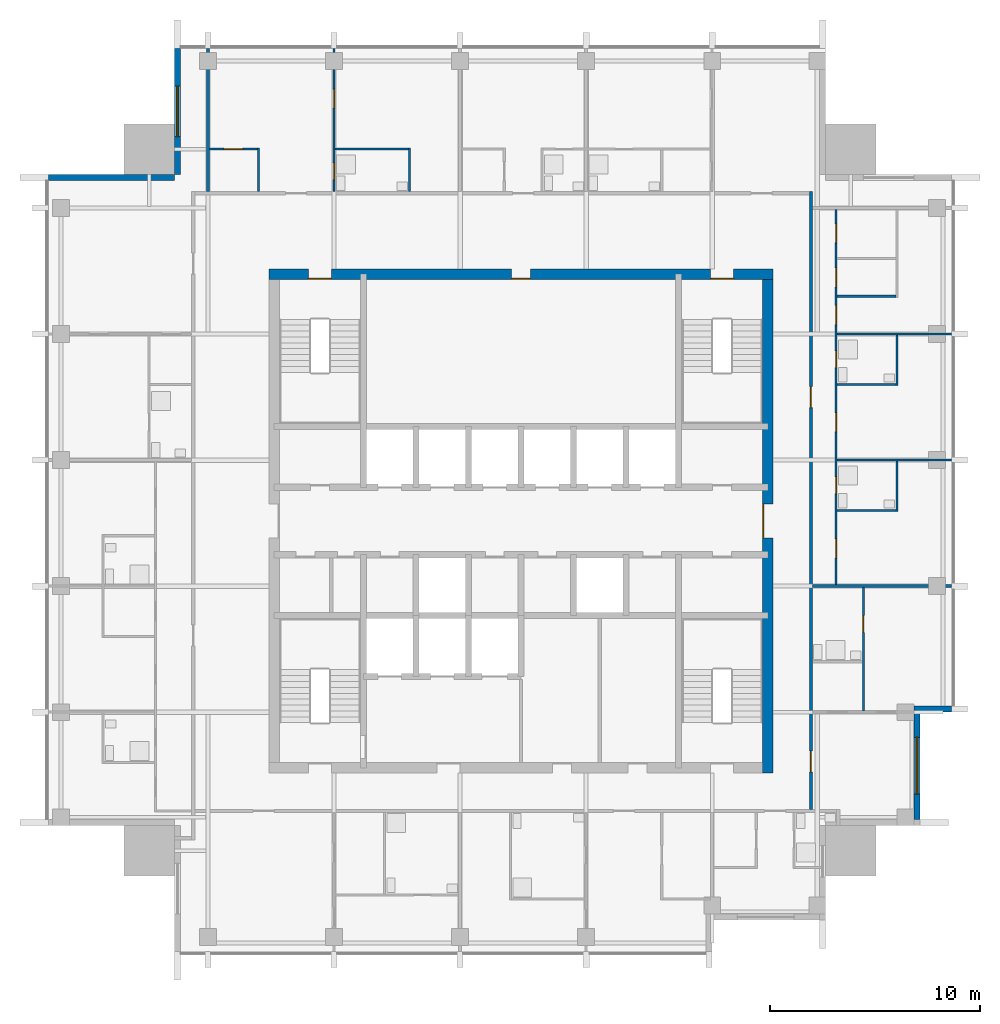
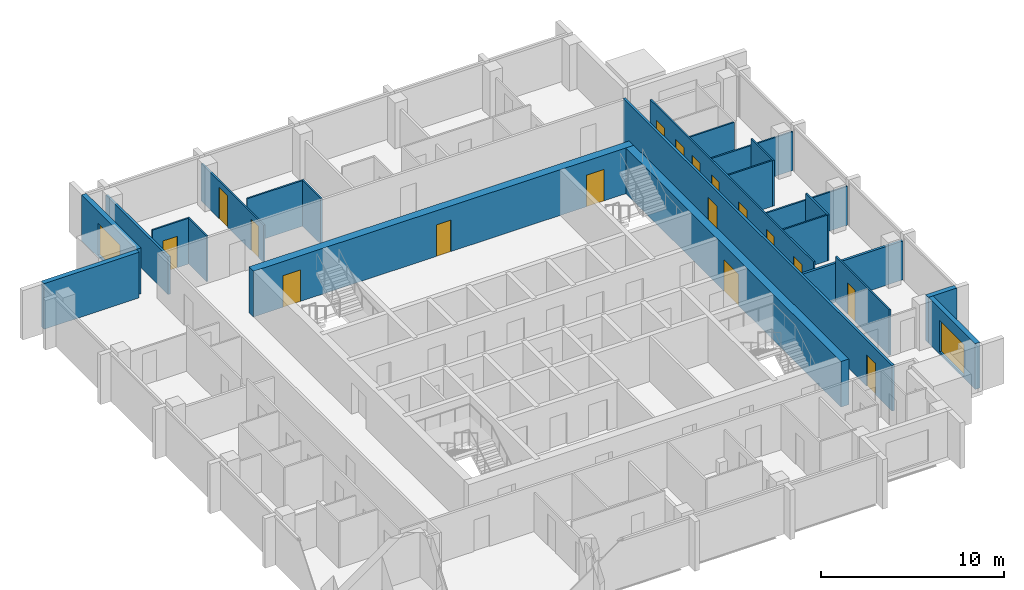
# One storey, part 6 of 9: 23 walls, 17 doors, 2 windows, 19 openings.
"""IFC4 building model written with IfcOpenShell, lengths in metres."""

from ifc_helpers import new_model, si_unit, direction, frame, frame_2d, origin, place, context, subcontext, project, spatial, rectangle, extrude, material, layer, layer_set, type_object, element, fill, save


model = new_model("IFC4")

# Units and contexts
model_context = context("Model", 3, precision=1e-05, world=origin(), true_north=direction((0.0, 1.0)))
body_context = subcontext(model_context, "Body", "Model", "MODEL_VIEW")
ifc_project = project(units=[si_unit("LENGTHUNIT", "METRE"), si_unit("AREAUNIT", "SQUARE_METRE"), si_unit("VOLUMEUNIT", "CUBIC_METRE"), si_unit("PLANEANGLEUNIT", "RADIAN"), si_unit("MASSUNIT", "GRAM", prefix="KILO")], contexts=[model_context])

# Site, building, storey
site_placement = place(None, origin())
site = spatial("IfcSite", under=ifc_project, at=site_placement, CompositionType="ELEMENT")
building_placement = place(site_placement, origin())
building = spatial("IfcBuilding", under=site, at=building_placement, Name="Amberfall Residences", CompositionType="ELEMENT")
storey_placement = place(building_placement, frame((0.0, 0.0, 265.300048828125)))
storey = spatial("IfcBuildingStorey", under=building, at=storey_placement, Name="L71", CompositionType="ELEMENT", Elevation=265.300048828125)

# Wall
ifc_material_1 = material(Name="Pale stone cladding on insulated backing", Category="masonry")
ifc_layer_1 = layer(ifc_material_1, 0.300048828125)
ifc_layer_set_1 = layer_set([ifc_layer_1], Name="Bronze clad wall 300")
wall_type_1 = type_object("IfcWallType", Name="Bronze clad wall 300", PredefinedType="SOLIDWALL", material=ifc_layer_set_1)
wall_1_placement = place(storey_placement, frame((93.199951171875, 36.550048828125, 0.0), z_axis=(0.0, 0.0, 1.0), x_axis=(1.0, 0.0, 0.0)))
element("IfcWall", 1, at=wall_1_placement, inside=storey, type_object=wall_type_1, Name="External wall L71 E", PredefinedType="SOLIDWALL", context=body_context, shape_type="SweptSolid", body=[
    extrude(rectangle(XDim=1.800048828125, YDim=0.300048828125, at=frame_2d((0.89990234375, 0.0))), origin(), (0.0, 0.0, 1.0), 3.050048828125),
])

# Wall, opening, window
wall_2_placement = place(storey_placement, frame((58.14990234375, 68.0, 0.0), z_axis=(0.0, 0.0, 1.0), x_axis=(0.0, -1.0, 0.0)))
wall_2 = element("IfcWall", 2, at=wall_2_placement, inside=storey, type_object=wall_type_1, Name="External wall L71 NW", PredefinedType="SOLIDWALL", context=body_context, shape_type="SweptSolid", body=[
    extrude(rectangle(XDim=6.0, YDim=0.300048828125, at=frame_2d((3.0, 0.0))), origin(), (0.0, 0.0, 1.0), 3.050048828125),
])
opening_1_placement = place(wall_2_placement, frame((1.800048828125, 0.0, 0.14990234375)))
opening_1 = element("IfcOpeningElement", 3, at=opening_1_placement, cuts=wall_2, Name="Opening WN5", PredefinedType="OPENING", context=body_context, shape_type="SweptSolid", body=[
    extrude(rectangle(XDim=2.39990234375, YDim=2.10009765625, at=frame_2d((1.199951171875, 1.050048828125))), frame((0.0, 0.159912109375, 0.0), z_axis=(0.0, -1.0, 0.0), x_axis=(1.0, 0.0, 0.0)), (0.0, 0.0, 1.0), 0.320068359375),
])
ifc_material_2 = material(Name="Bronze aluminium framed glazing", Category="aluminium")
window_type_1 = type_object("IfcWindowType", Name="Glazed opening 2400 x 2100 bronze", PartitioningType="DOUBLE_PANEL_VERTICAL", PredefinedType="WINDOW", material=ifc_material_2)
window_1_placement = place(opening_1_placement, origin())
window_1 = element("IfcWindow", 4, at=window_1_placement, inside=storey, type_object=window_type_1, Name="Window L71 NW", OverallHeight=2.10009765625, OverallWidth=2.39990234375, PartitioningType="DOUBLE_PANEL_VERTICAL", PredefinedType="WINDOW", context=body_context, shape_type="SweptSolid", body=[
    extrude(rectangle(XDim=2.39990234375, YDim=2.10009765625, at=frame_2d((1.199951171875, 1.050048828125))), frame((0.0, 0.030029296875, 0.0), z_axis=(0.0, -1.0, 0.0), x_axis=(1.0, 0.0, 0.0)), (0.0, 0.0, 1.0), 0.06005859375),
])
fill(opening_1, window_1)

# Wall
wall_3_placement = place(storey_placement, frame((58.0, 61.85009765625, 0.0), z_axis=(0.0, 0.0, 1.0), x_axis=(-1.0, 0.0, 0.0)))
element("IfcWall", 5, at=wall_3_placement, inside=storey, type_object=wall_type_1, Name="External wall L71 NW", PredefinedType="SOLIDWALL", context=body_context, shape_type="SweptSolid", body=[
    extrude(rectangle(XDim=6.0, YDim=0.300048828125, at=frame_2d((3.0, 0.0))), origin(), (0.0, 0.0, 1.0), 3.050048828125),
])

# Wall, opening, window
wall_4_placement = place(storey_placement, frame((93.35009765625, 31.300048828125, 0.0), z_axis=(0.0, 0.0, 1.0), x_axis=(0.0, 1.0, 0.0)))
wall_4 = element("IfcWall", 6, at=wall_4_placement, inside=storey, type_object=wall_type_1, Name="Stone wall L71 E", PredefinedType="SOLIDWALL", context=body_context, shape_type="SweptSolid", body=[
    extrude(rectangle(XDim=5.099853515625, YDim=0.300048828125, at=frame_2d((2.5498046875, 0.0))), origin(), (0.0, 0.0, 1.0), 3.050048828125),
])
opening_2_placement = place(wall_4_placement, frame((1.199951171875, 0.0, 0.14990234375)))
opening_2 = element("IfcOpeningElement", 7, at=opening_2_placement, cuts=wall_4, Name="Opening WN4", PredefinedType="OPENING", context=body_context, shape_type="SweptSolid", body=[
    extrude(rectangle(XDim=2.699951171875, YDim=2.10009765625, at=frame_2d((1.35009765625, 1.050048828125))), frame((0.0, 0.159912109375, 0.0), z_axis=(0.0, -1.0, 0.0), x_axis=(1.0, 0.0, 0.0)), (0.0, 0.0, 1.0), 0.320068359375),
])
window_type_2 = type_object("IfcWindowType", Name="Glazed opening 2700 x 2100 bronze", PartitioningType="DOUBLE_PANEL_VERTICAL", PredefinedType="WINDOW", material=ifc_material_2)
window_2_placement = place(opening_2_placement, origin())
window_2 = element("IfcWindow", 8, at=window_2_placement, inside=storey, type_object=window_type_2, Name="Window L71 E", OverallHeight=2.10009765625, OverallWidth=2.699951171875, PartitioningType="DOUBLE_PANEL_VERTICAL", PredefinedType="WINDOW", context=body_context, shape_type="SweptSolid", body=[
    extrude(rectangle(XDim=2.699951171875, YDim=2.10009765625, at=frame_2d((1.35009765625, 1.050048828125))), frame((0.0, 0.030029296875, 0.0), z_axis=(0.0, -1.0, 0.0), x_axis=(1.0, 0.0, 0.0)), (0.0, 0.0, 1.0), 0.06005859375),
])
fill(opening_2, window_2)

# Wall, openings, doors
ifc_material_3 = material(Name="Concrete C50", Category="concrete")
ifc_layer_2 = layer(ifc_material_3, 0.5)
ifc_layer_set_2 = layer_set([ifc_layer_2], Name="Core wall 500 C50")
wall_type_2 = type_object("IfcWallType", Name="Core wall 500 C50", PredefinedType="SHEAR", material=ifc_layer_set_2)
wall_5_placement = place(storey_placement, frame((62.5, 57.25, 0.0), z_axis=(0.0, 0.0, 1.0), x_axis=(1.0, 0.0, 0.0)))
wall_5 = element("IfcWall", 9, at=wall_5_placement, inside=storey, type_object=wall_type_2, Name="Core wall RW9 L71 ON", PredefinedType="SHEAR", context=body_context, shape_type="SweptSolid", body=[
    extrude(rectangle(XDim=24.0, YDim=0.5, at=frame_2d((12.0, 0.0))), origin(), (0.0, 0.0, 1.0), 3.050048828125),
])
opening_3_placement = place(wall_5_placement, frame((21.02490234375, 0.0, 0.0)))
opening_3 = element("IfcOpeningElement", 10, at=opening_3_placement, cuts=wall_5, Name="Opening SD1", PredefinedType="OPENING", context=body_context, shape_type="SweptSolid", body=[
    extrude(rectangle(XDim=1.10009765625, YDim=2.10009765625, at=frame_2d((0.550048828125, 1.050048828125))), frame((0.0, 0.260009765625, 0.0), z_axis=(0.0, -1.0, 0.0), x_axis=(1.0, 0.0, 0.0)), (0.0, 0.0, 1.0), 0.52001953125),
])
opening_4_placement = place(wall_5_placement, frame((1.875, 0.0, 0.0)))
opening_4 = element("IfcOpeningElement", 11, at=opening_4_placement, cuts=wall_5, Name="Opening SD1", PredefinedType="OPENING", context=body_context, shape_type="SweptSolid", body=[
    extrude(rectangle(XDim=1.10009765625, YDim=2.10009765625, at=frame_2d((0.550048828125, 1.050048828125))), frame((0.0, 0.260009765625, 0.0), z_axis=(0.0, -1.0, 0.0), x_axis=(1.0, 0.0, 0.0)), (0.0, 0.0, 1.0), 0.52001953125),
])
opening_5_placement = place(wall_5_placement, frame((11.550048828125, 0.0, 0.0)))
opening_5 = element("IfcOpeningElement", 12, at=opening_5_placement, cuts=wall_5, Name="Opening RD1", PredefinedType="OPENING", context=body_context, shape_type="SweptSolid", body=[
    extrude(rectangle(XDim=0.89990234375, YDim=2.10009765625, at=frame_2d((0.449951171875, 1.050048828125))), frame((0.0, 0.260009765625, 0.0), z_axis=(0.0, -1.0, 0.0), x_axis=(1.0, 0.0, 0.0)), (0.0, 0.0, 1.0), 0.52001953125),
])
ifc_material_4 = material(Name="Steel fire door set", Category="steel")
door_type_1 = type_object("IfcDoorType", Name="Service room door 900 x 2100", OperationType="SINGLE_SWING_LEFT", PredefinedType="DOOR", material=ifc_material_4)
door_1_placement = place(opening_5_placement, origin())
door_1 = element("IfcDoor", 13, at=door_1_placement, inside=storey, type_object=door_type_1, Name="RD1 L71", OperationType="SINGLE_SWING_RIGHT", OverallHeight=2.10009765625, OverallWidth=0.89990234375, PredefinedType="DOOR", context=body_context, shape_type="SweptSolid", body=[
    extrude(rectangle(XDim=0.89990234375, YDim=2.10009765625, at=frame_2d((0.449951171875, 1.050048828125))), frame((0.0, -0.1875, 0.0), z_axis=(0.0, -1.0, 0.0), x_axis=(1.0, 0.0, 0.0)), (0.0, 0.0, 1.0), 0.050048828125),
])
fill(opening_5, door_1)
door_type_2 = type_object("IfcDoorType", Name="Stair door 1100 x 2100", OperationType="SINGLE_SWING_LEFT", PredefinedType="DOOR", material=ifc_material_4)
door_2_placement = place(opening_3_placement, origin())
door_2 = element("IfcDoor", 14, at=door_2_placement, inside=storey, type_object=door_type_2, Name="SD1 L71", OperationType="SINGLE_SWING_RIGHT", OverallHeight=2.10009765625, OverallWidth=1.10009765625, PredefinedType="DOOR", context=body_context, shape_type="SweptSolid", body=[
    extrude(rectangle(XDim=1.10009765625, YDim=2.10009765625, at=frame_2d((0.550048828125, 1.050048828125))), frame((0.0, -0.1875, 0.0), z_axis=(0.0, -1.0, 0.0), x_axis=(1.0, 0.0, 0.0)), (0.0, 0.0, 1.0), 0.050048828125),
])
fill(opening_3, door_2)
door_3_placement = place(opening_4_placement, origin())
door_3 = element("IfcDoor", 15, at=door_3_placement, inside=storey, type_object=door_type_2, Name="SD1 L71", OperationType="SINGLE_SWING_LEFT", OverallHeight=2.10009765625, OverallWidth=1.10009765625, PredefinedType="DOOR", context=body_context, shape_type="SweptSolid", body=[
    extrude(rectangle(XDim=1.10009765625, YDim=2.10009765625, at=frame_2d((0.550048828125, 1.050048828125))), frame((0.0, -0.1875, 0.0), z_axis=(0.0, -1.0, 0.0), x_axis=(1.0, 0.0, 0.0)), (0.0, 0.0, 1.0), 0.050048828125),
])
fill(opening_4, door_3)

# Wall, opening, door
wall_6_placement = place(storey_placement, frame((86.25, 33.5, 0.0), z_axis=(0.0, 0.0, 1.0), x_axis=(0.0, 1.0, 0.0)))
wall_6 = element("IfcWall", 16, at=wall_6_placement, inside=storey, type_object=wall_type_2, Name="Core wall RW9 L71 OE", PredefinedType="SHEAR", context=body_context, shape_type="SweptSolid", body=[
    extrude(rectangle(XDim=24.0, YDim=0.5, at=frame_2d((12.0, 0.0))), origin(), (0.0, 0.0, 1.0), 3.050048828125),
])
opening_6_placement = place(wall_6_placement, frame((11.199951171875, 0.0, 0.0)))
opening_6 = element("IfcOpeningElement", 17, at=opening_6_placement, cuts=wall_6, Name="Opening LB1", PredefinedType="OPENING", context=body_context, shape_type="SweptSolid", body=[
    extrude(rectangle(XDim=1.60009765625, YDim=2.10009765625, at=frame_2d((0.800048828125, 1.050048828125))), frame((0.0, 0.260009765625, 0.0), z_axis=(0.0, -1.0, 0.0), x_axis=(1.0, 0.0, 0.0)), (0.0, 0.0, 1.0), 0.52001953125),
])
door_type_3 = type_object("IfcDoorType", Name="Lift lobby double door 1600 x 2100", OperationType="DOUBLE_DOOR_SINGLE_SWING", PredefinedType="DOOR", material=ifc_material_4)
door_4_placement = place(opening_6_placement, origin())
door_4 = element("IfcDoor", 18, at=door_4_placement, inside=storey, type_object=door_type_3, Name="LB1 L71", OperationType="DOUBLE_DOOR_SINGLE_SWING", OverallHeight=2.10009765625, OverallWidth=1.60009765625, PredefinedType="DOOR", context=body_context, shape_type="SweptSolid", body=[
    extrude(rectangle(XDim=1.60009765625, YDim=2.10009765625, at=frame_2d((0.800048828125, 1.050048828125))), frame((0.0, 0.2373046875, 0.0), z_axis=(0.0, -1.0, 0.0), x_axis=(1.0, 0.0, 0.0)), (0.0, 0.0, 1.0), 0.050048828125),
])
fill(opening_6, door_4)

# Wall
ifc_material_5 = material(Name="Gypsum board on metal stud")
ifc_layer_3 = layer(ifc_material_5, 0.10009765625)
ifc_layer_set_3 = layer_set([ifc_layer_3], Name="Flat partition 100")
wall_type_3 = type_object("IfcWallType", Name="Flat partition 100", PredefinedType="PARTITIONING", material=ifc_layer_set_3)
wall_7_placement = place(storey_placement, frame((62.0, 61.175048828125, 0.0), z_axis=(0.0, 0.0, 1.0), x_axis=(0.0, 1.0, 0.0)))
element("IfcWall", 19, at=wall_7_placement, inside=storey, type_object=wall_type_3, Name="Partition 005", PredefinedType="PARTITIONING", context=body_context, shape_type="SweptSolid", body=[
    extrude(rectangle(XDim=2.074951171875, YDim=0.10009765625, at=frame_2d((1.03759765625, 0.0))), origin(), (0.0, 0.0, 1.0), 3.050048828125),
])

# Wall, openings, doors
wall_8_placement = place(storey_placement, frame((65.60009765625, 68.0, 0.0), z_axis=(0.0, 0.0, 1.0), x_axis=(0.0, -1.0, 0.0)))
wall_8 = element("IfcWall", 20, at=wall_8_placement, inside=storey, type_object=wall_type_3, Name="Partition 007", PredefinedType="PARTITIONING", context=body_context, shape_type="SweptSolid", body=[
    extrude(rectangle(XDim=6.824951171875, YDim=0.10009765625, at=frame_2d((3.41259765625, 0.0))), origin(), (0.0, 0.0, 1.0), 2.515869140625),
])
opening_7_placement = place(wall_8_placement, frame((1.949951171875, 0.0, 0.0)))
opening_7 = element("IfcOpeningElement", 21, at=opening_7_placement, cuts=wall_8, Name="Opening D41", PredefinedType="OPENING", context=body_context, shape_type="SweptSolid", body=[
    extrude(rectangle(XDim=0.89990234375, YDim=2.10009765625, at=frame_2d((0.449951171875, 1.050048828125))), frame((0.0, 0.06005859375, 0.0), z_axis=(0.0, -1.0, 0.0), x_axis=(1.0, 0.0, 0.0)), (0.0, 0.0, 1.0), 0.1201171875),
])
opening_8_placement = place(wall_8_placement, frame((5.449951171875, 0.0, 0.0)))
opening_8 = element("IfcOpeningElement", 22, at=opening_8_placement, cuts=wall_8, Name="Opening D42", PredefinedType="OPENING", context=body_context, shape_type="SweptSolid", body=[
    extrude(rectangle(XDim=0.800048828125, YDim=2.10009765625, at=frame_2d((0.39990234375, 1.050048828125))), frame((0.0, 0.06005859375, 0.0), z_axis=(0.0, -1.0, 0.0), x_axis=(1.0, 0.0, 0.0)), (0.0, 0.0, 1.0), 0.1201171875),
])
ifc_material_6 = material(Name="Timber", Category="wood")
door_type_4 = type_object("IfcDoorType", Name="Bathroom door 800 x 2100", OperationType="SINGLE_SWING_LEFT", PredefinedType="DOOR", material=ifc_material_6)
door_5_placement = place(opening_8_placement, origin())
door_5 = element("IfcDoor", 23, at=door_5_placement, inside=storey, type_object=door_type_4, Name="Door 7106 bath1", OperationType="SINGLE_SWING_LEFT", OverallHeight=2.10009765625, OverallWidth=0.800048828125, PredefinedType="DOOR", context=body_context, shape_type="SweptSolid", body=[
    extrude(rectangle(XDim=0.800048828125, YDim=2.10009765625, at=frame_2d((0.39990234375, 1.050048828125))), frame((0.0, 0.02490234375, 0.0), z_axis=(0.0, -1.0, 0.0), x_axis=(1.0, 0.0, 0.0)), (0.0, 0.0, 1.0), 0.050048828125),
])
fill(opening_8, door_5)
door_type_5 = type_object("IfcDoorType", Name="Internal door 900 x 2100", OperationType="SINGLE_SWING_LEFT", PredefinedType="DOOR", material=ifc_material_6)
door_6_placement = place(opening_7_placement, origin())
door_6 = element("IfcDoor", 24, at=door_6_placement, inside=storey, type_object=door_type_5, Name="Door 7106 bedroom1", OperationType="SINGLE_SWING_LEFT", OverallHeight=2.10009765625, OverallWidth=0.89990234375, PredefinedType="DOOR", context=body_context, shape_type="SweptSolid", body=[
    extrude(rectangle(XDim=0.89990234375, YDim=2.10009765625, at=frame_2d((0.449951171875, 1.050048828125))), frame((0.0, 0.02490234375, 0.0), z_axis=(0.0, -1.0, 0.0), x_axis=(1.0, 0.0, 0.0)), (0.0, 0.0, 1.0), 0.050048828125),
])
fill(opening_7, door_6)

# Wall
wall_9_placement = place(storey_placement, frame((69.199951171875, 61.175048828125, 0.0), z_axis=(0.0, 0.0, 1.0), x_axis=(0.0, 1.0, 0.0)))
element("IfcWall", 25, at=wall_9_placement, inside=storey, type_object=wall_type_3, Name="Partition 009", PredefinedType="PARTITIONING", context=body_context, shape_type="SweptSolid", body=[
    extrude(rectangle(XDim=2.074951171875, YDim=0.10009765625, at=frame_2d((1.03759765625, 0.0))), origin(), (0.0, 0.0, 1.0), 3.050048828125),
])

# Wall, openings, doors
wall_10_placement = place(storey_placement, frame((89.5, 60.324951171875, 0.0), z_axis=(0.0, 0.0, 1.0), x_axis=(0.0, -1.0, 0.0)))
wall_10 = element("IfcWall", 26, at=wall_10_placement, inside=storey, type_object=wall_type_3, Name="Partition 019", PredefinedType="PARTITIONING", context=body_context, shape_type="SweptSolid", body=[
    extrude(rectangle(XDim=17.849853515625, YDim=0.10009765625, at=frame_2d((8.9248046875, 0.0))), origin(), (0.0, 0.0, 1.0), 3.050048828125),
])
opening_9_placement = place(wall_10_placement, frame((4.574951171875, 0.0, 0.0)))
opening_9 = element("IfcOpeningElement", 27, at=opening_9_placement, cuts=wall_10, Name="Opening D41", PredefinedType="OPENING", context=body_context, shape_type="SweptSolid", body=[
    extrude(rectangle(XDim=0.89990234375, YDim=2.10009765625, at=frame_2d((0.449951171875, 1.050048828125))), frame((0.0, 0.06005859375, 0.0), z_axis=(0.0, -1.0, 0.0), x_axis=(1.0, 0.0, 0.0)), (0.0, 0.0, 1.0), 0.1201171875),
])
opening_10_placement = place(wall_10_placement, frame((0.675048828125, 0.0, 0.0)))
opening_10 = element("IfcOpeningElement", 28, at=opening_10_placement, cuts=wall_10, Name="Opening D41", PredefinedType="OPENING", context=body_context, shape_type="SweptSolid", body=[
    extrude(rectangle(XDim=0.89990234375, YDim=2.10009765625, at=frame_2d((0.449951171875, 1.050048828125))), frame((0.0, 0.06005859375, 0.0), z_axis=(0.0, -1.0, 0.0), x_axis=(1.0, 0.0, 0.0)), (0.0, 0.0, 1.0), 0.1201171875),
])
opening_11_placement = place(wall_10_placement, frame((2.77490234375, 0.0, 0.0)))
opening_11 = element("IfcOpeningElement", 29, at=opening_11_placement, cuts=wall_10, Name="Opening D41", PredefinedType="OPENING", context=body_context, shape_type="SweptSolid", body=[
    extrude(rectangle(XDim=0.89990234375, YDim=2.10009765625, at=frame_2d((0.449951171875, 1.050048828125))), frame((0.0, 0.06005859375, 0.0), z_axis=(0.0, -1.0, 0.0), x_axis=(1.0, 0.0, 0.0)), (0.0, 0.0, 1.0), 0.1201171875),
])
opening_12_placement = place(wall_10_placement, frame((15.675048828125, 0.0, 0.0)))
opening_12 = element("IfcOpeningElement", 30, at=opening_12_placement, cuts=wall_10, Name="Opening D41", PredefinedType="OPENING", context=body_context, shape_type="SweptSolid", body=[
    extrude(rectangle(XDim=0.89990234375, YDim=2.10009765625, at=frame_2d((0.449951171875, 1.050048828125))), frame((0.0, 0.06005859375, 0.0), z_axis=(0.0, -1.0, 0.0), x_axis=(1.0, 0.0, 0.0)), (0.0, 0.0, 1.0), 0.1201171875),
])
opening_13_placement = place(wall_10_placement, frame((9.675048828125, 0.0, 0.0)))
opening_13 = element("IfcOpeningElement", 31, at=opening_13_placement, cuts=wall_10, Name="Opening D41", PredefinedType="OPENING", context=body_context, shape_type="SweptSolid", body=[
    extrude(rectangle(XDim=0.89990234375, YDim=2.10009765625, at=frame_2d((0.449951171875, 1.050048828125))), frame((0.0, 0.06005859375, 0.0), z_axis=(0.0, -1.0, 0.0), x_axis=(1.0, 0.0, 0.0)), (0.0, 0.0, 1.0), 0.1201171875),
])
opening_14_placement = place(wall_10_placement, frame((12.72509765625, 0.0, 0.0)))
opening_14 = element("IfcOpeningElement", 32, at=opening_14_placement, cuts=wall_10, Name="Opening D42", PredefinedType="OPENING", context=body_context, shape_type="SweptSolid", body=[
    extrude(rectangle(XDim=0.800048828125, YDim=2.10009765625, at=frame_2d((0.39990234375, 1.050048828125))), frame((0.0, 0.06005859375, 0.0), z_axis=(0.0, -1.0, 0.0), x_axis=(1.0, 0.0, 0.0)), (0.0, 0.0, 1.0), 0.1201171875),
])
opening_15_placement = place(wall_10_placement, frame((6.72509765625, 0.0, 0.0)))
opening_15 = element("IfcOpeningElement", 33, at=opening_15_placement, cuts=wall_10, Name="Opening D42", PredefinedType="OPENING", context=body_context, shape_type="SweptSolid", body=[
    extrude(rectangle(XDim=0.800048828125, YDim=2.10009765625, at=frame_2d((0.39990234375, 1.050048828125))), frame((0.0, 0.06005859375, 0.0), z_axis=(0.0, -1.0, 0.0), x_axis=(1.0, 0.0, 0.0)), (0.0, 0.0, 1.0), 0.1201171875),
])
door_7_placement = place(opening_14_placement, origin())
door_7 = element("IfcDoor", 34, at=door_7_placement, inside=storey, type_object=door_type_4, Name="Door 7105 bath1", OperationType="SINGLE_SWING_LEFT", OverallHeight=2.10009765625, OverallWidth=0.800048828125, PredefinedType="DOOR", context=body_context, shape_type="SweptSolid", body=[
    extrude(rectangle(XDim=0.800048828125, YDim=2.10009765625, at=frame_2d((0.39990234375, 1.050048828125))), frame((0.0, 0.02490234375, 0.0), z_axis=(0.0, -1.0, 0.0), x_axis=(1.0, 0.0, 0.0)), (0.0, 0.0, 1.0), 0.050048828125),
])
fill(opening_14, door_7)
door_8_placement = place(opening_15_placement, origin())
door_8 = element("IfcDoor", 35, at=door_8_placement, inside=storey, type_object=door_type_4, Name="Door 7105 bath2", OperationType="SINGLE_SWING_LEFT", OverallHeight=2.10009765625, OverallWidth=0.800048828125, PredefinedType="DOOR", context=body_context, shape_type="SweptSolid", body=[
    extrude(rectangle(XDim=0.800048828125, YDim=2.10009765625, at=frame_2d((0.39990234375, 1.050048828125))), frame((0.0, 0.02490234375, 0.0), z_axis=(0.0, -1.0, 0.0), x_axis=(1.0, 0.0, 0.0)), (0.0, 0.0, 1.0), 0.050048828125),
])
fill(opening_15, door_8)
door_9_placement = place(opening_9_placement, origin())
door_9 = element("IfcDoor", 36, at=door_9_placement, inside=storey, type_object=door_type_5, Name="Door 7105 living", OperationType="SINGLE_SWING_LEFT", OverallHeight=2.10009765625, OverallWidth=0.89990234375, PredefinedType="DOOR", context=body_context, shape_type="SweptSolid", body=[
    extrude(rectangle(XDim=0.89990234375, YDim=2.10009765625, at=frame_2d((0.449951171875, 1.050048828125))), frame((0.0, 0.02490234375, 0.0), z_axis=(0.0, -1.0, 0.0), x_axis=(1.0, 0.0, 0.0)), (0.0, 0.0, 1.0), 0.050048828125),
])
fill(opening_9, door_9)
door_10_placement = place(opening_10_placement, origin())
door_10 = element("IfcDoor", 37, at=door_10_placement, inside=storey, type_object=door_type_5, Name="Door 7105 kitchen", OperationType="SINGLE_SWING_LEFT", OverallHeight=2.10009765625, OverallWidth=0.89990234375, PredefinedType="DOOR", context=body_context, shape_type="SweptSolid", body=[
    extrude(rectangle(XDim=0.89990234375, YDim=2.10009765625, at=frame_2d((0.449951171875, 1.050048828125))), frame((0.0, 0.02490234375, 0.0), z_axis=(0.0, -1.0, 0.0), x_axis=(1.0, 0.0, 0.0)), (0.0, 0.0, 1.0), 0.050048828125),
])
fill(opening_10, door_10)
door_11_placement = place(opening_11_placement, origin())
door_11 = element("IfcDoor", 38, at=door_11_placement, inside=storey, type_object=door_type_5, Name="Door 7105 utility", OperationType="SINGLE_SWING_LEFT", OverallHeight=2.10009765625, OverallWidth=0.89990234375, PredefinedType="DOOR", context=body_context, shape_type="SweptSolid", body=[
    extrude(rectangle(XDim=0.89990234375, YDim=2.10009765625, at=frame_2d((0.449951171875, 1.050048828125))), frame((0.0, 0.02490234375, 0.0), z_axis=(0.0, -1.0, 0.0), x_axis=(1.0, 0.0, 0.0)), (0.0, 0.0, 1.0), 0.050048828125),
])
fill(opening_11, door_11)
door_12_placement = place(opening_12_placement, origin())
door_12 = element("IfcDoor", 39, at=door_12_placement, inside=storey, type_object=door_type_5, Name="Door 7105 bedroom1", OperationType="SINGLE_SWING_LEFT", OverallHeight=2.10009765625, OverallWidth=0.89990234375, PredefinedType="DOOR", context=body_context, shape_type="SweptSolid", body=[
    extrude(rectangle(XDim=0.89990234375, YDim=2.10009765625, at=frame_2d((0.449951171875, 1.050048828125))), frame((0.0, 0.02490234375, 0.0), z_axis=(0.0, -1.0, 0.0), x_axis=(1.0, 0.0, 0.0)), (0.0, 0.0, 1.0), 0.050048828125),
])
fill(opening_12, door_12)
door_13_placement = place(opening_13_placement, origin())
door_13 = element("IfcDoor", 40, at=door_13_placement, inside=storey, type_object=door_type_5, Name="Door 7105 bedroom2", OperationType="SINGLE_SWING_LEFT", OverallHeight=2.10009765625, OverallWidth=0.89990234375, PredefinedType="DOOR", context=body_context, shape_type="SweptSolid", body=[
    extrude(rectangle(XDim=0.89990234375, YDim=2.10009765625, at=frame_2d((0.449951171875, 1.050048828125))), frame((0.0, 0.02490234375, 0.0), z_axis=(0.0, -1.0, 0.0), x_axis=(1.0, 0.0, 0.0)), (0.0, 0.0, 1.0), 0.050048828125),
])
fill(opening_13, door_13)

# Wall, opening, door
wall_11_placement = place(storey_placement, frame((90.800048828125, 36.449951171875, 0.0), z_axis=(0.0, 0.0, 1.0), x_axis=(0.0, 1.0, 0.0)))
wall_11 = element("IfcWall", 41, at=wall_11_placement, inside=storey, type_object=wall_type_3, Name="Partition 020", PredefinedType="PARTITIONING", context=body_context, shape_type="SweptSolid", body=[
    extrude(rectangle(XDim=5.875, YDim=0.10009765625, at=frame_2d((2.9375, 0.0))), origin(), (0.0, 0.0, 1.0), 3.050048828125),
])
opening_16_placement = place(wall_11_placement, frame((3.75, 0.0, 0.0)))
opening_16 = element("IfcOpeningElement", 42, at=opening_16_placement, cuts=wall_11, Name="Opening D42", PredefinedType="OPENING", context=body_context, shape_type="SweptSolid", body=[
    extrude(rectangle(XDim=0.800048828125, YDim=2.10009765625, at=frame_2d((0.39990234375, 1.050048828125))), frame((0.0, 0.06005859375, 0.0), z_axis=(0.0, -1.0, 0.0), x_axis=(1.0, 0.0, 0.0)), (0.0, 0.0, 1.0), 0.1201171875),
])
door_14_placement = place(opening_16_placement, origin())
door_14 = element("IfcDoor", 43, at=door_14_placement, inside=storey, type_object=door_type_4, Name="Door 7104 bath1", OperationType="SINGLE_SWING_LEFT", OverallHeight=2.10009765625, OverallWidth=0.800048828125, PredefinedType="DOOR", context=body_context, shape_type="SweptSolid", body=[
    extrude(rectangle(XDim=0.800048828125, YDim=2.10009765625, at=frame_2d((0.39990234375, 1.050048828125))), frame((0.0, 0.02490234375, 0.0), z_axis=(0.0, -1.0, 0.0), x_axis=(1.0, 0.0, 0.0)), (0.0, 0.0, 1.0), 0.050048828125),
])
fill(opening_16, door_14)

# Walls
for number, where, z_axis, x_axis, name in (
    (44, (92.39990234375, 45.949951171875, 0.0), (0.0, 0.0, 1.0), (0.0, 1.0, 0.0), "Partition 021"),
    (45, (92.39990234375, 51.949951171875, 0.0), (0.0, 0.0, 1.0), (0.0, 1.0, 0.0), "Partition 022"),
):
    element("IfcWall", number, at=place(storey_placement, frame(where, z_axis=z_axis, x_axis=x_axis)), inside=storey, type_object=wall_type_3, Name=name, PredefinedType="PARTITIONING", context=body_context, shape_type="SweptSolid", body=[
        extrude(rectangle(XDim=2.400146484375, YDim=0.10009765625, at=frame_2d((1.2001953125, 0.0))), origin(), (0.0, 0.0, 1.0), 3.050048828125),
    ])

# Wall, opening, door
wall_12_placement = place(storey_placement, frame((61.949951171875, 63.199951171875, 0.0), z_axis=(0.0, 0.0, 1.0), x_axis=(-1.0, 0.0, 0.0)))
wall_12 = element("IfcWall", 46, at=wall_12_placement, inside=storey, type_object=wall_type_3, Name="Partition 024", PredefinedType="PARTITIONING", context=body_context, shape_type="SweptSolid", body=[
    extrude(rectangle(XDim=2.27490234375, YDim=0.10009765625, at=frame_2d((1.137451171875, 0.0))), origin(), (0.0, 0.0, 1.0), 3.050048828125),
])
opening_17_placement = place(wall_12_placement, frame((0.699951171875, 0.0, 0.0)))
opening_17 = element("IfcOpeningElement", 47, at=opening_17_placement, cuts=wall_12, Name="Opening D41", PredefinedType="OPENING", context=body_context, shape_type="SweptSolid", body=[
    extrude(rectangle(XDim=0.89990234375, YDim=2.10009765625, at=frame_2d((0.449951171875, 1.050048828125))), frame((0.0, 0.06005859375, 0.0), z_axis=(0.0, -1.0, 0.0), x_axis=(1.0, 0.0, 0.0)), (0.0, 0.0, 1.0), 0.1201171875),
])
door_15_placement = place(opening_17_placement, origin())
door_15 = element("IfcDoor", 48, at=door_15_placement, inside=storey, type_object=door_type_5, Name="Door 7106 kitchen", OperationType="SINGLE_SWING_LEFT", OverallHeight=2.10009765625, OverallWidth=0.89990234375, PredefinedType="DOOR", context=body_context, shape_type="SweptSolid", body=[
    extrude(rectangle(XDim=0.89990234375, YDim=2.10009765625, at=frame_2d((0.449951171875, 1.050048828125))), frame((0.0, 0.02490234375, 0.0), z_axis=(0.0, -1.0, 0.0), x_axis=(1.0, 0.0, 0.0)), (0.0, 0.0, 1.0), 0.050048828125),
])
fill(opening_17, door_15)

# Walls
wall_13_placement = place(storey_placement, frame((65.64990234375, 63.199951171875, 0.0), z_axis=(0.0, 0.0, 1.0), x_axis=(1.0, 0.0, 0.0)))
element("IfcWall", 49, at=wall_13_placement, inside=storey, type_object=wall_type_3, Name="Partition 025", PredefinedType="PARTITIONING", context=body_context, shape_type="SweptSolid", body=[
    extrude(rectangle(XDim=3.5, YDim=0.10009765625, at=frame_2d((1.75, 0.0))), origin(), (0.0, 0.0, 1.0), 3.050048828125),
])
wall_14_placement = place(storey_placement, frame((89.550048828125, 56.199951171875, 0.0), z_axis=(0.0, 0.0, 1.0), x_axis=(1.0, 0.0, 0.0)))
element("IfcWall", 50, at=wall_14_placement, inside=storey, type_object=wall_type_3, Name="Partition 029", PredefinedType="PARTITIONING", context=body_context, shape_type="SweptSolid", body=[
    extrude(rectangle(XDim=2.800048828125, YDim=0.10009765625, at=frame_2d((1.39990234375, 0.0))), origin(), (0.0, 0.0, 1.0), 3.050048828125),
])
wall_15_placement = place(storey_placement, frame((89.550048828125, 54.39990234375, 0.0), z_axis=(0.0, 0.0, 1.0), x_axis=(1.0, 0.0, 0.0)))
element("IfcWall", 51, at=wall_15_placement, inside=storey, type_object=wall_type_3, Name="Partition 031", PredefinedType="PARTITIONING", context=body_context, shape_type="SweptSolid", body=[
    extrude(rectangle(XDim=5.449951171875, YDim=0.10009765625, at=frame_2d((2.72509765625, 0.0))), origin(), (0.0, 0.0, 1.0), 2.58984375),
])
wall_16_placement = place(storey_placement, frame((89.550048828125, 52.0, 0.0), z_axis=(0.0, 0.0, 1.0), x_axis=(1.0, 0.0, 0.0)))
element("IfcWall", 52, at=wall_16_placement, inside=storey, type_object=wall_type_3, Name="Partition 033", PredefinedType="PARTITIONING", context=body_context, shape_type="SweptSolid", body=[
    extrude(rectangle(XDim=2.800048828125, YDim=0.10009765625, at=frame_2d((1.39990234375, 0.0))), origin(), (0.0, 0.0, 1.0), 3.050048828125),
])
wall_17_placement = place(storey_placement, frame((89.550048828125, 48.39990234375, 0.0), z_axis=(0.0, 0.0, 1.0), x_axis=(1.0, 0.0, 0.0)))
element("IfcWall", 53, at=wall_17_placement, inside=storey, type_object=wall_type_3, Name="Partition 034", PredefinedType="PARTITIONING", context=body_context, shape_type="SweptSolid", body=[
    extrude(rectangle(XDim=5.449951171875, YDim=0.10009765625, at=frame_2d((2.72509765625, 0.0))), origin(), (0.0, 0.0, 1.0), 2.58984375),
])
wall_18_placement = place(storey_placement, frame((89.550048828125, 46.0, 0.0), z_axis=(0.0, 0.0, 1.0), x_axis=(1.0, 0.0, 0.0)))
element("IfcWall", 54, at=wall_18_placement, inside=storey, type_object=wall_type_3, Name="Partition 035", PredefinedType="PARTITIONING", context=body_context, shape_type="SweptSolid", body=[
    extrude(rectangle(XDim=2.800048828125, YDim=0.10009765625, at=frame_2d((1.39990234375, 0.0))), origin(), (0.0, 0.0, 1.0), 3.050048828125),
])
ifc_material_7 = material(Name="Blockwork, plastered", Category="masonry")
ifc_layer_4 = layer(ifc_material_7, 0.14990234375)
ifc_layer_set_4 = layer_set([ifc_layer_4], Name="Flat separating wall 150")
wall_type_4 = type_object("IfcWallType", Name="Flat separating wall 150", PredefinedType="PARTITIONING", material=ifc_layer_set_4)
wall_19_placement = place(storey_placement, frame((59.60009765625, 61.175048828125, 0.0), z_axis=(0.0, 0.0, 1.0), x_axis=(0.0, 1.0, 0.0)))
element("IfcWall", 55, at=wall_19_placement, inside=storey, type_object=wall_type_4, Name="Separating wall 050", PredefinedType="PARTITIONING", context=body_context, shape_type="SweptSolid", body=[
    extrude(rectangle(XDim=6.824951171875, YDim=0.14990234375, at=frame_2d((3.41259765625, 0.0))), origin(), (0.0, 0.0, 1.0), 2.510009765625),
])

# Wall, openings, doors
wall_20_placement = place(storey_placement, frame((88.300048828125, 61.175048828125, 0.0), z_axis=(0.0, 0.0, 1.0), x_axis=(0.0, -1.0, 0.0)))
wall_20 = element("IfcWall", 56, at=wall_20_placement, inside=storey, type_object=wall_type_4, Name="Separating wall 055", PredefinedType="PARTITIONING", context=body_context, shape_type="SweptSolid", body=[
    extrude(rectangle(XDim=29.400146484375, YDim=0.14990234375, at=frame_2d((14.7001953125, 0.0))), origin(), (0.0, 0.0, 1.0), 3.050048828125),
])
opening_18_placement = place(wall_20_placement, frame((26.625, 0.0, 0.0)))
opening_18 = element("IfcOpeningElement", 57, at=opening_18_placement, cuts=wall_20, Name="Opening D40", PredefinedType="OPENING", context=body_context, shape_type="SweptSolid", body=[
    extrude(rectangle(XDim=1.0, YDim=2.10009765625, at=frame_2d((0.5, 1.050048828125))), frame((0.0, 0.0849609375, 0.0), z_axis=(0.0, -1.0, 0.0), x_axis=(1.0, 0.0, 0.0)), (0.0, 0.0, 1.0), 0.169921875),
])
opening_19_placement = place(wall_20_placement, frame((9.27490234375, 0.0, 0.0)))
opening_19 = element("IfcOpeningElement", 58, at=opening_19_placement, cuts=wall_20, Name="Opening D40", PredefinedType="OPENING", context=body_context, shape_type="SweptSolid", body=[
    extrude(rectangle(XDim=1.0, YDim=2.10009765625, at=frame_2d((0.5, 1.050048828125))), frame((0.0, 0.0849609375, 0.0), z_axis=(0.0, -1.0, 0.0), x_axis=(1.0, 0.0, 0.0)), (0.0, 0.0, 1.0), 0.169921875),
])
ifc_material_8 = material(Name="Timber, fire-rated", Category="wood")
door_type_6 = type_object("IfcDoorType", Name="Flat entrance door FD60 1000 x 2100", OperationType="SINGLE_SWING_LEFT", PredefinedType="DOOR", material=ifc_material_8)
door_16_placement = place(opening_18_placement, origin())
door_16 = element("IfcDoor", 59, at=door_16_placement, inside=storey, type_object=door_type_6, Name="Door 7104 entrance", OperationType="SINGLE_SWING_LEFT", OverallHeight=2.10009765625, OverallWidth=1.0, PredefinedType="DOOR", context=body_context, shape_type="SweptSolid", body=[
    extrude(rectangle(XDim=1.0, YDim=2.10009765625, at=frame_2d((0.5, 1.050048828125))), frame((0.0, 0.02490234375, 0.0), z_axis=(0.0, -1.0, 0.0), x_axis=(1.0, 0.0, 0.0)), (0.0, 0.0, 1.0), 0.050048828125),
])
fill(opening_18, door_16)
door_17_placement = place(opening_19_placement, origin())
door_17 = element("IfcDoor", 60, at=door_17_placement, inside=storey, type_object=door_type_6, Name="Door 7105 entrance", OperationType="SINGLE_SWING_LEFT", OverallHeight=2.10009765625, OverallWidth=1.0, PredefinedType="DOOR", context=body_context, shape_type="SweptSolid", body=[
    extrude(rectangle(XDim=1.0, YDim=2.10009765625, at=frame_2d((0.5, 1.050048828125))), frame((0.0, 0.02490234375, 0.0), z_axis=(0.0, -1.0, 0.0), x_axis=(1.0, 0.0, 0.0)), (0.0, 0.0, 1.0), 0.050048828125),
])
fill(opening_19, door_17)

# Wall
wall_21_placement = place(storey_placement, frame((88.375, 42.39990234375, 0.0), z_axis=(0.0, 0.0, 1.0), x_axis=(1.0, 0.0, 0.0)))
element("IfcWall", 61, at=wall_21_placement, inside=storey, type_object=wall_type_4, Name="Separating wall 060", PredefinedType="PARTITIONING", context=body_context, shape_type="SweptSolid", body=[
    extrude(rectangle(XDim=6.625, YDim=0.14990234375, at=frame_2d((3.3125, 0.0))), origin(), (0.0, 0.0, 1.0), 2.58984375),
])

save(model, "model.ifc")
